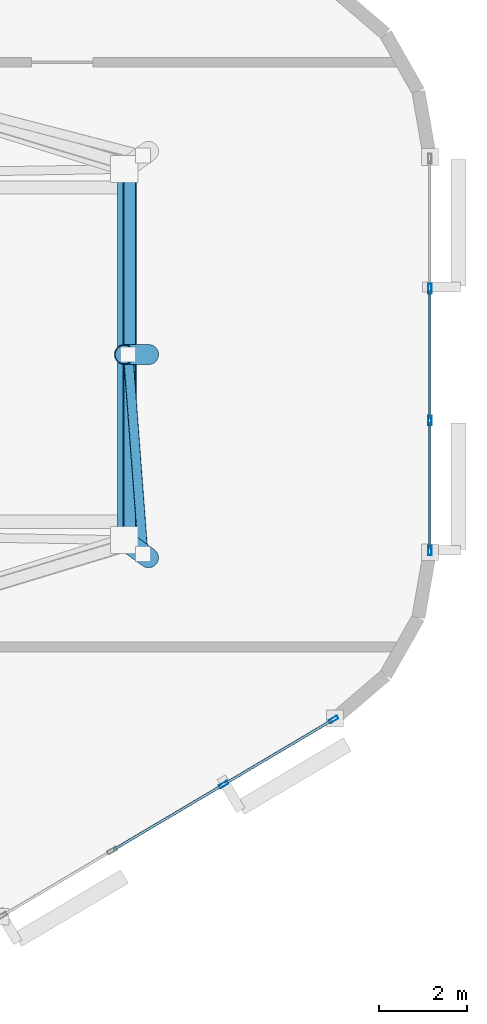
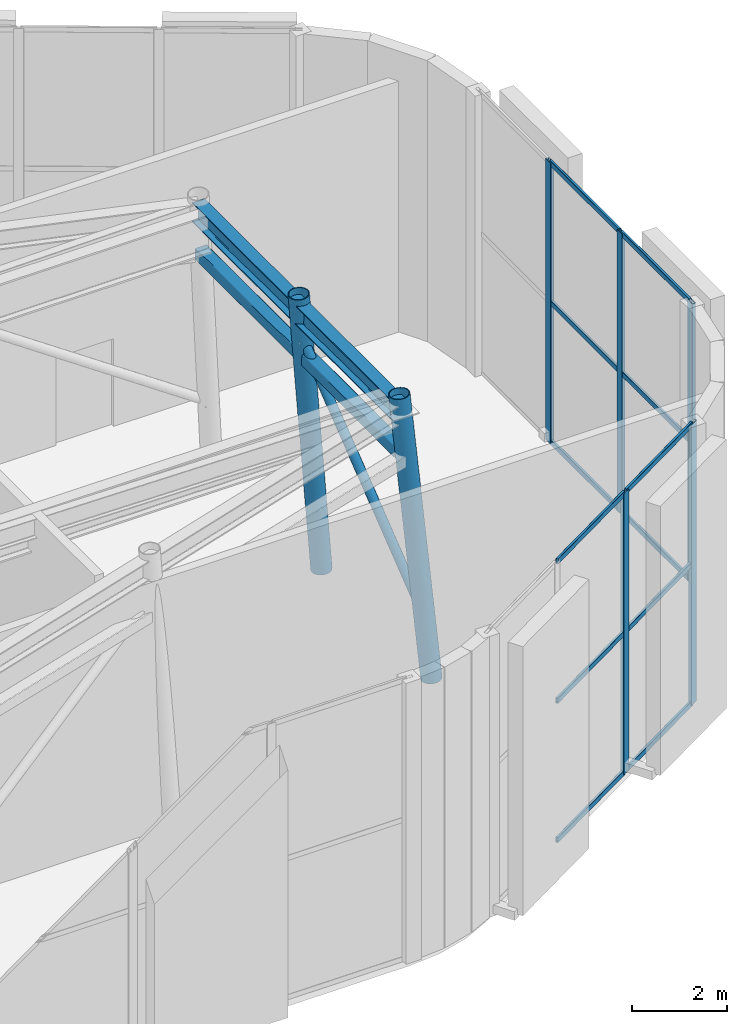
# One storey, part 12 of 20: 21 members, 1 beam, 2 elements without a shape of their own.
"""IFC4 building model written with IfcOpenShell, lengths in metres."""

from ifc_helpers import new_model, si_unit, direction, frame, origin, origin_2d, place, context, subcontext, project, spatial, hollow_rectangle, hollow_circle, i_section, extrude, material, layer, layer_set, material_profile, profile_set, type_object, element, aggregate, save


model = new_model("IFC4")

# Units and contexts
model_context = context("Model", 3, precision=1e-05, world=origin(), true_north=direction((0.0, 1.0)))
body_context = subcontext(model_context, "Body", "Model", "MODEL_VIEW")
ifc_project = project(units=[si_unit("LENGTHUNIT", "METRE"), si_unit("AREAUNIT", "SQUARE_METRE"), si_unit("VOLUMEUNIT", "CUBIC_METRE"), si_unit("PLANEANGLEUNIT", "RADIAN"), si_unit("MASSUNIT", "GRAM", prefix="KILO")], contexts=[model_context])

# Site, building, storey
site_placement = place(None, origin())
site = spatial("IfcSite", under=ifc_project, at=site_placement, CompositionType="ELEMENT")
building_placement = place(site_placement, origin())
building = spatial("IfcBuilding", under=site, at=building_placement, Name="An Khanh Terracotta Commons", CompositionType="ELEMENT")
storey_placement = place(building_placement, frame((0.0, 0.0, 308.0)))
storey = spatial("IfcBuildingStorey", under=building, at=storey_placement, Name="L79 Crown Damper Gallery", CompositionType="ELEMENT", Elevation=308.0)

# Beam
ifc_material_1 = material(Name="Steel S355J2", Category="steel")
ifc_material_profile_1 = material_profile(ifc_material_1, i_section(OverallWidth=0.300048828125, OverallDepth=0.5, WebThickness=0.014404296875, FlangeThickness=0.028076171875, FilletRadius=0.027099609375, at=origin_2d()), Name="HEB500")
ifc_profile_set_1 = profile_set([ifc_material_profile_1], Name="Steel S355J2")
beam_type = type_object("IfcBeamType", Name="BM-HEB500", PredefinedType="BEAM", material=ifc_profile_set_1)
beam_placement = place(storey_placement, frame((62.85009765625, 19.780029296875, 6.699951171875), z_axis=(0.0, 1.0, 0.0), x_axis=(-1.0, 0.0, 0.0)))
element("IfcBeam", 1, at=beam_placement, inside=storey, type_object=beam_type, Name="L79 Crown Damper Gallery CROWN FRAME Ring Beam 3", PredefinedType="BEAM", context=body_context, shape_type="SweptSolid", body=[
    extrude(i_section(OverallWidth=0.300048828125, OverallDepth=0.5, WebThickness=0.014404296875, FlangeThickness=0.028076171875, FilletRadius=0.027099609375, at=origin_2d()), origin(), (0.0, 0.0, 1.0), 8.43994140625),
])

# Members
ifc_material_2 = material(Name="Steel S460ML", Category="steel")
ifc_material_profile_2 = material_profile(ifc_material_2, hollow_circle(Radius=0.109619140625, WallThickness=0.010009765625, at=origin_2d()), Name="CHS219.1x10")
ifc_profile_set_2 = profile_set([ifc_material_profile_2], Name="Steel S460ML")
member_type_1 = type_object("IfcMemberType", Name="CROWN FRAME BRACE CHS219", PredefinedType="BRACE", material=ifc_profile_set_2)
member_1_placement = place(storey_placement, frame((63.279052734375, 19.468017578125, 1.472900390625), z_axis=(-0.0533915021, 0.709453438423, 0.702726949969), x_axis=(-0.997180146867, -0.075045017787, 0.0)))
element("IfcMember", 2, at=member_1_placement, inside=storey, type_object=member_type_1, Name="L79 Crown Damper Gallery CROWN FRAME Wind Diagonal 3", PredefinedType="BRACE", context=body_context, shape_type="SweptSolid", body=[
    extrude(hollow_circle(Radius=0.109619140625, WallThickness=0.010009765625, at=origin_2d()), origin(), (0.0, 0.0, 1.0), 6.387939453125),
])
ifc_material_profile_3 = material_profile(ifc_material_2, hollow_circle(Radius=0.228515625, WallThickness=0.02001953125, at=origin_2d()), Name="CHS457x20")
ifc_profile_set_3 = profile_set([ifc_material_profile_3], Name="Steel S460ML")
member_type_2 = type_object("IfcMemberType", Name="CROWN FRAME RIB CHS457", PredefinedType="STRUT", material=ifc_profile_set_3)
member_2_placement = place(storey_placement, frame((63.39990234375, 19.3798828125, -0.1201171875), z_axis=(-0.0756046956, 0.055024909453, 0.995618495882), x_axis=(-0.588449183066, -0.808534203945, 0.0)))
element("IfcMember", 3, at=member_2_placement, inside=storey, type_object=member_type_2, Name="L79 Crown Damper Gallery CROWN FRAME Corner Raking Rib 3", PredefinedType="STRUT", context=body_context, shape_type="SweptSolid", body=[
    extrude(hollow_circle(Radius=0.228515625, WallThickness=0.02001953125, at=origin_2d()), origin(), (0.0, 0.0, 1.0), 7.272216796875),
])
member_3_placement = place(storey_placement, frame((63.39990234375, 24.0, -0.1201171875), z_axis=(-0.07571941187, 0.0, 0.997129164485), x_axis=(0.0, -1.0, 0.0)))
element("IfcMember", 4, at=member_3_placement, inside=storey, type_object=member_type_2, Name="L79 Crown Damper Gallery CROWN FRAME Facet Strut 3", PredefinedType="STRUT", context=body_context, shape_type="SweptSolid", body=[
    extrude(hollow_circle(Radius=0.228515625, WallThickness=0.02001953125, at=origin_2d()), origin(), (0.0, 0.0, 1.0), 7.260986328125),
])
ifc_material_profile_4 = material_profile(ifc_material_2, hollow_rectangle(XDim=0.300048828125, YDim=0.300048828125, WallThickness=0.01611328125, InnerFilletRadius=0.01611328125, OuterFilletRadius=0.031982421875, at=origin_2d()), Name="SHS300x300x16")
ifc_profile_set_4 = profile_set([ifc_material_profile_4], Name="Steel S460ML")
member_type_3 = type_object("IfcMemberType", Name="CROWN FRAME RING SHS300", PredefinedType="CHORD", material=ifc_profile_set_4)
member_4_placement = place(storey_placement, frame((62.970947265625, 19.69189453125, 5.527099609375), z_axis=(0.0, 1.0, 0.0), x_axis=(-1.0, 0.0, 0.0)))
element("IfcMember", 5, at=member_4_placement, inside=storey, type_object=member_type_3, Name="L79 Crown Damper Gallery CROWN FRAME Sill Ring Chord 3", PredefinedType="CHORD", context=body_context, shape_type="SweptSolid", body=[
    extrude(hollow_rectangle(XDim=0.300048828125, YDim=0.300048828125, WallThickness=0.01611328125, InnerFilletRadius=0.01611328125, OuterFilletRadius=0.031982421875, at=origin_2d()), origin(), (0.0, 0.0, 1.0), 8.6162109375),
])

# Curtain wall, members
ifc_material_3 = material(Name="Anodised Aluminium 6063-T6", Category="aluminium")
ifc_layer = layer(ifc_material_3, 0.25, Name="Anodised Aluminium 6063-T6")
ifc_layer_set = layer_set([ifc_layer], Name="Anodised Aluminium 6063-T6")
curtain_wall_type = type_object("IfcCurtainWallType", Name="CW-SYS-05", PredefinedType="USERDEFINED", material=ifc_layer_set)
curtain_wall_1_placement = place(storey_placement, origin())
curtain_wall_1 = element("IfcCurtainWall", 6, at=curtain_wall_1_placement, inside=storey, type_object=curtain_wall_type, Name="L79 Crown Damper Gallery CW-05 Unitised Curtain Wall CW-L79-08", ObjectType="UNITISED CURTAIN WALL", PredefinedType="USERDEFINED")
ifc_material_profile_5 = material_profile(ifc_material_3, hollow_rectangle(XDim=0.080078125, YDim=0.219970703125, WallThickness=0.0048828125, InnerFilletRadius=0.0048828125, OuterFilletRadius=0.010009765625, at=origin_2d()), Name="RHS220x80x5")
ifc_profile_set_5 = profile_set([ifc_material_profile_5], Name="Anodised Aluminium 6063-T6")
member_type_4 = type_object("IfcMemberType", Name="CWM-RHS220x80x5", PredefinedType="MULLION", material=ifc_profile_set_5)
member_5_placement = place(storey_placement, frame((65.107666015625, 14.2197265625, 0.0), z_axis=(0.0, 0.0, 1.0), x_axis=(-0.509780687063, 0.860304394443, 0.0)))
member_5 = element("IfcMember", 7, at=member_5_placement, type_object=member_type_4, Name="CW-05 mullion 3", PredefinedType="MULLION", context=body_context, shape_type="SweptSolid", body=[
    extrude(hollow_rectangle(XDim=0.080078125, YDim=0.219970703125, WallThickness=0.0048828125, InnerFilletRadius=0.0048828125, OuterFilletRadius=0.010009765625, at=origin_2d()), origin(), (0.0, 0.0, 1.0), 7.199951171875),
])
member_6_placement = place(storey_placement, frame((67.608642578125, 15.70166015625, 0.0), z_axis=(0.0, 0.0, 1.0), x_axis=(-0.509780687063, 0.860304394443, 0.0)))
member_6 = element("IfcMember", 8, at=member_6_placement, type_object=member_type_4, Name="CW-05 mullion 4", PredefinedType="MULLION", context=body_context, shape_type="SweptSolid", body=[
    extrude(hollow_rectangle(XDim=0.080078125, YDim=0.219970703125, WallThickness=0.0048828125, InnerFilletRadius=0.0048828125, OuterFilletRadius=0.010009765625, at=origin_2d()), origin(), (0.0, 0.0, 1.0), 7.199951171875),
])

curtain_wall_2_placement = place(storey_placement, origin())
curtain_wall_2 = element("IfcCurtainWall", 9, at=curtain_wall_2_placement, inside=storey, type_object=curtain_wall_type, Name="L79 Crown Damper Gallery CW-05 Unitised Curtain Wall CW-L79-12", ObjectType="UNITISED CURTAIN WALL", PredefinedType="USERDEFINED")
member_7_placement = place(storey_placement, frame((69.800048828125, 19.547119140625, 0.0), z_axis=(0.0, 0.0, 1.0), x_axis=(-1.0, 0.0, 0.0)))
member_7 = element("IfcMember", 10, at=member_7_placement, type_object=member_type_4, Name="CW-05 mullion 1", PredefinedType="MULLION", context=body_context, shape_type="SweptSolid", body=[
    extrude(hollow_rectangle(XDim=0.080078125, YDim=0.219970703125, WallThickness=0.0048828125, InnerFilletRadius=0.0048828125, OuterFilletRadius=0.010009765625, at=origin_2d()), origin(), (0.0, 0.0, 1.0), 7.199951171875),
])
member_8_placement = place(storey_placement, frame((69.800048828125, 22.50244140625, 0.0), z_axis=(0.0, 0.0, 1.0), x_axis=(-1.0, 0.0, 0.0)))
member_8 = element("IfcMember", 11, at=member_8_placement, type_object=member_type_4, Name="CW-05 mullion 2", PredefinedType="MULLION", context=body_context, shape_type="SweptSolid", body=[
    extrude(hollow_rectangle(XDim=0.080078125, YDim=0.219970703125, WallThickness=0.0048828125, InnerFilletRadius=0.0048828125, OuterFilletRadius=0.010009765625, at=origin_2d()), origin(), (0.0, 0.0, 1.0), 7.199951171875),
])
member_9_placement = place(storey_placement, frame((69.800048828125, 25.49755859375, 0.0), z_axis=(0.0, 0.0, 1.0), x_axis=(-1.0, 0.0, 0.0)))
member_9 = element("IfcMember", 12, at=member_9_placement, type_object=member_type_4, Name="CW-05 mullion 3", PredefinedType="MULLION", context=body_context, shape_type="SweptSolid", body=[
    extrude(hollow_rectangle(XDim=0.080078125, YDim=0.219970703125, WallThickness=0.0048828125, InnerFilletRadius=0.0048828125, OuterFilletRadius=0.010009765625, at=origin_2d()), origin(), (0.0, 0.0, 1.0), 7.199951171875),
])

# Member
ifc_material_profile_6 = material_profile(ifc_material_3, hollow_rectangle(XDim=0.06005859375, YDim=0.135009765625, WallThickness=0.003662109375, InnerFilletRadius=0.003662109375, OuterFilletRadius=0.007080078125, at=origin_2d()), Name="RHS135x60x3.6")
ifc_profile_set_6 = profile_set([ifc_material_profile_6], Name="Anodised Aluminium 6063-T6")
member_type_5 = type_object("IfcMemberType", Name="CWT-RHS135x60x3.6", PredefinedType="USERDEFINED", material=ifc_profile_set_6)
member_10_placement = place(storey_placement, frame((62.606689453125, 12.73779296875, 0.030029296875), z_axis=(0.860327495706, 0.509741699425, 0.0), x_axis=(-0.509741699425, 0.860327495706, 0.0)))
member_10 = element("IfcMember", 13, at=member_10_placement, type_object=member_type_5, Name="CW-05 transom 2.1", ObjectType="TRANSOM", PredefinedType="USERDEFINED", context=body_context, shape_type="SweptSolid", body=[
    extrude(hollow_rectangle(XDim=0.06005859375, YDim=0.135009765625, WallThickness=0.003662109375, InnerFilletRadius=0.003662109375, OuterFilletRadius=0.007080078125, at=origin_2d()), origin(), (0.0, 0.0, 1.0), 2.866943359375),
])

member_11_placement = place(storey_placement, frame((62.606689453125, 12.73779296875, 3.60009765625), z_axis=(0.860327495706, 0.509741699425, 0.0), x_axis=(-0.509741699425, 0.860327495706, 0.0)))
member_11 = element("IfcMember", 14, at=member_11_placement, type_object=member_type_5, Name="CW-05 transom 2.2", ObjectType="TRANSOM", PredefinedType="USERDEFINED", context=body_context, shape_type="SweptSolid", body=[
    extrude(hollow_rectangle(XDim=0.06005859375, YDim=0.135009765625, WallThickness=0.003662109375, InnerFilletRadius=0.003662109375, OuterFilletRadius=0.007080078125, at=origin_2d()), origin(), (0.0, 0.0, 1.0), 2.866943359375),
])

member_12_placement = place(storey_placement, frame((62.606689453125, 12.73779296875, 7.169921875), z_axis=(0.860327495706, 0.509741699425, 0.0), x_axis=(-0.509741699425, 0.860327495706, 0.0)))
member_12 = element("IfcMember", 15, at=member_12_placement, type_object=member_type_5, Name="CW-05 transom 2.3", ObjectType="TRANSOM", PredefinedType="USERDEFINED", context=body_context, shape_type="SweptSolid", body=[
    extrude(hollow_rectangle(XDim=0.06005859375, YDim=0.135009765625, WallThickness=0.003662109375, InnerFilletRadius=0.003662109375, OuterFilletRadius=0.007080078125, at=origin_2d()), origin(), (0.0, 0.0, 1.0), 2.866943359375),
])

member_13_placement = place(storey_placement, frame((65.14208984375, 14.239990234375, 0.030029296875), z_axis=(0.860306963859, 0.509776350899, 0.0), x_axis=(-0.509776350899, 0.860306963859, 0.0)))
member_13 = element("IfcMember", 16, at=member_13_placement, type_object=member_type_5, Name="CW-05 transom 3.1", ObjectType="TRANSOM", PredefinedType="USERDEFINED", context=body_context, shape_type="SweptSolid", body=[
    extrude(hollow_rectangle(XDim=0.06005859375, YDim=0.135009765625, WallThickness=0.003662109375, InnerFilletRadius=0.003662109375, OuterFilletRadius=0.007080078125, at=origin_2d()), origin(), (0.0, 0.0, 1.0), 2.8271484375),
])

member_14_placement = place(storey_placement, frame((65.14208984375, 14.239990234375, 3.60009765625), z_axis=(0.860306963859, 0.509776350899, 0.0), x_axis=(-0.509776350899, 0.860306963859, 0.0)))
member_14 = element("IfcMember", 17, at=member_14_placement, type_object=member_type_5, Name="CW-05 transom 3.2", ObjectType="TRANSOM", PredefinedType="USERDEFINED", context=body_context, shape_type="SweptSolid", body=[
    extrude(hollow_rectangle(XDim=0.06005859375, YDim=0.135009765625, WallThickness=0.003662109375, InnerFilletRadius=0.003662109375, OuterFilletRadius=0.007080078125, at=origin_2d()), origin(), (0.0, 0.0, 1.0), 2.8271484375),
])

member_15_placement = place(storey_placement, frame((65.14208984375, 14.239990234375, 7.169921875), z_axis=(0.860306963859, 0.509776350899, 0.0), x_axis=(-0.509776350899, 0.860306963859, 0.0)))
member_15 = element("IfcMember", 18, at=member_15_placement, type_object=member_type_5, Name="CW-05 transom 3.3", ObjectType="TRANSOM", PredefinedType="USERDEFINED", context=body_context, shape_type="SweptSolid", body=[
    extrude(hollow_rectangle(XDim=0.06005859375, YDim=0.135009765625, WallThickness=0.003662109375, InnerFilletRadius=0.003662109375, OuterFilletRadius=0.007080078125, at=origin_2d()), origin(), (0.0, 0.0, 1.0), 2.8271484375),
])

aggregate(curtain_wall_1, [member_5, member_6, member_10, member_11, member_12, member_13, member_14, member_15])

member_16_placement = place(storey_placement, frame((69.800048828125, 19.5869140625, 0.030029296875), z_axis=(0.0, 1.0, 0.0), x_axis=(-1.0, 0.0, 0.0)))
member_16 = element("IfcMember", 19, at=member_16_placement, type_object=member_type_5, Name="CW-05 transom 1.1", ObjectType="TRANSOM", PredefinedType="USERDEFINED", context=body_context, shape_type="SweptSolid", body=[
    extrude(hollow_rectangle(XDim=0.06005859375, YDim=0.135009765625, WallThickness=0.003662109375, InnerFilletRadius=0.003662109375, OuterFilletRadius=0.007080078125, at=origin_2d()), origin(), (0.0, 0.0, 1.0), 2.87548828125),
])

member_17_placement = place(storey_placement, frame((69.800048828125, 19.5869140625, 3.60009765625), z_axis=(0.0, 1.0, 0.0), x_axis=(-1.0, 0.0, 0.0)))
member_17 = element("IfcMember", 20, at=member_17_placement, type_object=member_type_5, Name="CW-05 transom 1.2", ObjectType="TRANSOM", PredefinedType="USERDEFINED", context=body_context, shape_type="SweptSolid", body=[
    extrude(hollow_rectangle(XDim=0.06005859375, YDim=0.135009765625, WallThickness=0.003662109375, InnerFilletRadius=0.003662109375, OuterFilletRadius=0.007080078125, at=origin_2d()), origin(), (0.0, 0.0, 1.0), 2.87548828125),
])

member_18_placement = place(storey_placement, frame((69.800048828125, 19.5869140625, 7.169921875), z_axis=(0.0, 1.0, 0.0), x_axis=(-1.0, 0.0, 0.0)))
member_18 = element("IfcMember", 21, at=member_18_placement, type_object=member_type_5, Name="CW-05 transom 1.3", ObjectType="TRANSOM", PredefinedType="USERDEFINED", context=body_context, shape_type="SweptSolid", body=[
    extrude(hollow_rectangle(XDim=0.06005859375, YDim=0.135009765625, WallThickness=0.003662109375, InnerFilletRadius=0.003662109375, OuterFilletRadius=0.007080078125, at=origin_2d()), origin(), (0.0, 0.0, 1.0), 2.87548828125),
])

member_19_placement = place(storey_placement, frame((69.800048828125, 22.542236328125, 0.030029296875), z_axis=(0.0, 1.0, 0.0), x_axis=(-1.0, 0.0, 0.0)))
member_19 = element("IfcMember", 22, at=member_19_placement, type_object=member_type_5, Name="CW-05 transom 2.1", ObjectType="TRANSOM", PredefinedType="USERDEFINED", context=body_context, shape_type="SweptSolid", body=[
    extrude(hollow_rectangle(XDim=0.06005859375, YDim=0.135009765625, WallThickness=0.003662109375, InnerFilletRadius=0.003662109375, OuterFilletRadius=0.007080078125, at=origin_2d()), origin(), (0.0, 0.0, 1.0), 2.91552734375),
])

member_20_placement = place(storey_placement, frame((69.800048828125, 22.542236328125, 3.60009765625), z_axis=(0.0, 1.0, 0.0), x_axis=(-1.0, 0.0, 0.0)))
member_20 = element("IfcMember", 23, at=member_20_placement, type_object=member_type_5, Name="CW-05 transom 2.2", ObjectType="TRANSOM", PredefinedType="USERDEFINED", context=body_context, shape_type="SweptSolid", body=[
    extrude(hollow_rectangle(XDim=0.06005859375, YDim=0.135009765625, WallThickness=0.003662109375, InnerFilletRadius=0.003662109375, OuterFilletRadius=0.007080078125, at=origin_2d()), origin(), (0.0, 0.0, 1.0), 2.91552734375),
])

member_21_placement = place(storey_placement, frame((69.800048828125, 22.542236328125, 7.169921875), z_axis=(0.0, 1.0, 0.0), x_axis=(-1.0, 0.0, 0.0)))
member_21 = element("IfcMember", 24, at=member_21_placement, type_object=member_type_5, Name="CW-05 transom 2.3", ObjectType="TRANSOM", PredefinedType="USERDEFINED", context=body_context, shape_type="SweptSolid", body=[
    extrude(hollow_rectangle(XDim=0.06005859375, YDim=0.135009765625, WallThickness=0.003662109375, InnerFilletRadius=0.003662109375, OuterFilletRadius=0.007080078125, at=origin_2d()), origin(), (0.0, 0.0, 1.0), 2.91552734375),
])

aggregate(curtain_wall_2, [member_7, member_8, member_9, member_16, member_17, member_18, member_19, member_20, member_21])

save(model, "model.ifc")
